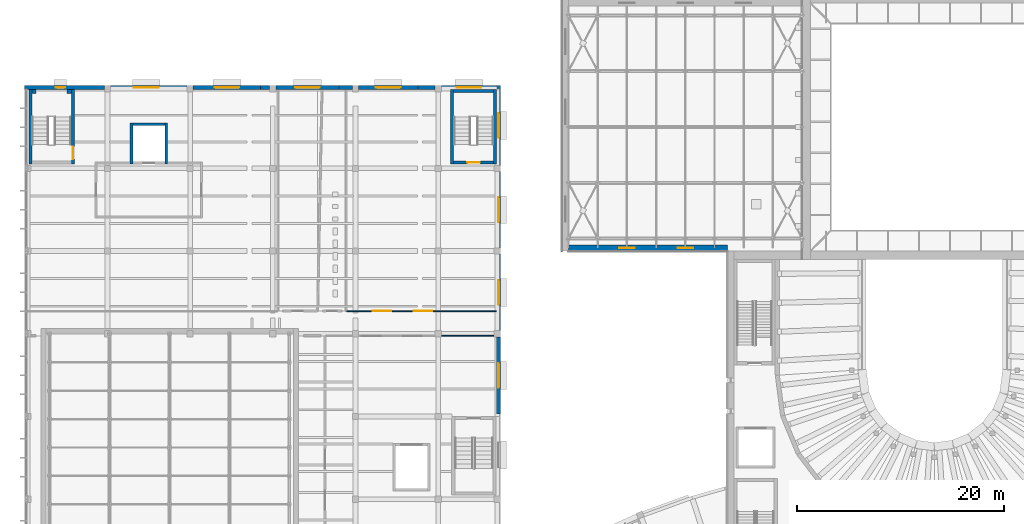
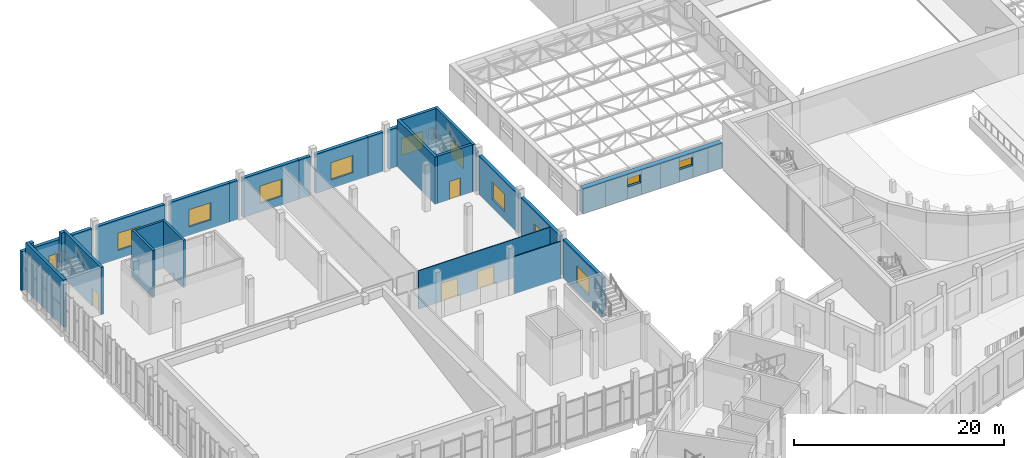
# One storey, part 74 of 132: 27 walls, 12 windows, 4 doors, 16 openings.
"""IFC4 building model written with IfcOpenShell, lengths in metres."""

import ifcopenshell
import ifcopenshell.guid

model = None  # the IFC model being written
_history = None  # IfcOwnerHistory: only IFC2X3 demands one
_inside = {}  # id of a spatial element -> (the spatial element, [elements in it])
_under = {}  # id of a project, library or spatial element -> (it, [spatial elements below it])
_declared = {}  # id of a project -> (the project, [libraries it declares])
_typed = {}  # id of a type object -> (the type object, [elements of that type])
_made_of = {}  # id of a material, layer set ... -> (it, [elements and type objects made of it])


def new_model(schema):
    """Start an empty IFC model of exactly this schema.

    Asked for "IFC4X3", IfcOpenShell would pick the latest addendum, in which some entities
    have other attributes; the version numbers below select the first issue.
    IFC2X3 requires an IfcOwnerHistory on every rooted entity: one is made here for all.
    """
    global model, _history
    if schema == "IFC4X3":
        model = ifcopenshell.file(schema_version=(4, 3, 0, 0))
    else:
        model = ifcopenshell.file(schema=schema)
    _inside.clear()
    _under.clear()
    _declared.clear()
    _typed.clear()
    _made_of.clear()
    _history = None
    if model.schema == "IFC2X3":
        org = make("IfcOrganization", Name="unknown")
        user = make(
            "IfcPersonAndOrganization",
            ThePerson=make("IfcPerson", FamilyName="unknown"),
            TheOrganization=org,
        )
        app = make(
            "IfcApplication",
            ApplicationDeveloper=org,
            Version="unknown",
            ApplicationFullName="unknown",
            ApplicationIdentifier="unknown",
        )
        _history = make(
            "IfcOwnerHistory",
            OwningUser=user,
            OwningApplication=app,
            ChangeAction="ADDED",
            CreationDate=0,
        )
    return model


def make(cls, **values):
    """One entity of the class cls with the attributes given. An attribute that is None is left unset."""
    return model.create_entity(
        cls, **{name: value for name, value in values.items() if value is not None}
    )


def rooted(cls, **values):
    """An entity with a GlobalId (a new one), such as an element, a storey or a relation."""
    return make(cls, GlobalId=ifcopenshell.guid.new(), OwnerHistory=_history, **values)


def si_unit(unit_type, name, prefix=None):
    """IfcSIUnit, for example si_unit("LENGTHUNIT", "METRE", prefix="MILLI")."""
    return make("IfcSIUnit", UnitType=unit_type, Prefix=prefix, Name=name)


def assignment(units):
    """IfcUnitAssignment: the units of a project."""
    return None if units is None else make("IfcUnitAssignment", Units=units)


def point(xyz):
    """IfcCartesianPoint."""
    return None if xyz is None else make("IfcCartesianPoint", Coordinates=xyz)


def direction(xyz):
    """IfcDirection."""
    return None if xyz is None else make("IfcDirection", DirectionRatios=xyz)


def frame(location, z_axis=None, x_axis=None):
    """IfcAxis2Placement3D, a coordinate frame: its origin and axes. An axis left out is left unset."""
    return make(
        "IfcAxis2Placement3D",
        Location=point(location),
        Axis=direction(z_axis),
        RefDirection=direction(x_axis),
    )


def frame_2d(location, x_axis=None):
    """IfcAxis2Placement2D, a coordinate frame in the plane: its origin and x axis."""
    return make(
        "IfcAxis2Placement2D", Location=point(location), RefDirection=direction(x_axis)
    )


def origin():
    """The frame at (0, 0, 0) with its axes left unset."""
    return frame((0.0, 0.0, 0.0))


def place(relative_to, where):
    """IfcLocalPlacement: puts the frame where relative to a parent placement (None: the world)."""
    return make(
        "IfcLocalPlacement", PlacementRelTo=relative_to, RelativePlacement=where
    )


def context(
    kind, dimensions, precision=None, world=None, true_north=None, identifier=None
):
    """IfcGeometricRepresentationContext, for example the 3D "Model" context."""
    return make(
        "IfcGeometricRepresentationContext",
        ContextIdentifier=identifier,
        ContextType=kind,
        CoordinateSpaceDimension=dimensions,
        Precision=precision,
        WorldCoordinateSystem=world,
        TrueNorth=true_north,
    )


def subcontext(parent, identifier, kind, view, scale=None):
    """IfcGeometricRepresentationSubContext, for example "Body" below "Model"."""
    return make(
        "IfcGeometricRepresentationSubContext",
        ContextIdentifier=identifier,
        ContextType=kind,
        ParentContext=parent,
        TargetScale=scale,
        TargetView=view,
    )


def project(units=None, contexts=None):
    """IfcProject with its units and contexts."""
    return rooted(
        "IfcProject",
        Name="project",
        RepresentationContexts=contexts,
        UnitsInContext=assignment(units),
    )


def spatial(cls, under=None, at=None, **own):
    """A site, building, storey or space (cls), placed at a placement, below another one or the project."""
    s = rooted(cls, ObjectPlacement=at, **own)
    if under is not None:
        _under.setdefault(under.id(), (under, []))[1].append(s)
    return s


def profile(cls, at=None, kind="AREA", **sizes):
    """A parametric profile (cls). Its sizes go by their IFC names, for example OverallWidth=200.0."""
    return make(cls, ProfileType=kind, Position=at, **sizes)


def rectangle(**sizes):
    """IfcRectangleProfileDef."""
    return profile("IfcRectangleProfileDef", **sizes)


def extrude(swept, where, along, depth):
    """IfcExtrudedAreaSolid: the profile swept, set in the frame where, extruded along a direction by depth."""
    return make(
        "IfcExtrudedAreaSolid",
        SweptArea=swept,
        Position=where,
        ExtrudedDirection=direction(along),
        Depth=depth,
    )


def shape(context_of_items, identifier, shape_type, items):
    """IfcShapeRepresentation: the items that make up one representation, for example the "Body"."""
    return make(
        "IfcShapeRepresentation",
        ContextOfItems=context_of_items,
        RepresentationIdentifier=identifier,
        RepresentationType=shape_type,
        Items=items,
    )


def material(Name=None, Category=None):
    """IfcMaterial."""
    return make("IfcMaterial", Name=Name, Category=Category)


def layer(
    of_material, thickness, ventilated=None, Name=None, Category=None, Priority=None
):
    """IfcMaterialLayer: one layer of a wall or slab, of a material (None: an air gap)."""
    return make(
        "IfcMaterialLayer",
        Material=of_material,
        LayerThickness=thickness,
        IsVentilated=ventilated,
        Name=Name,
        Category=Category,
        Priority=Priority,
    )


def layer_set(layers, Name=None):
    """IfcMaterialLayerSet."""
    return make("IfcMaterialLayerSet", MaterialLayers=layers, LayerSetName=Name)


def made_of(thing, what):
    """Note that an element or type object is made of a material, layer set ...; save() writes the relation."""
    if what is not None:
        _made_of.setdefault(what.id(), (what, []))[1].append(thing)
    return thing


def type_object(cls, material=None, **own):
    """A type object (cls), such as IfcWallType, which elements share."""
    return made_of(rooted(cls, **own), material)


def element(
    cls,
    number,
    at=None,
    inside=None,
    cuts=None,
    type_object=None,
    material=None,
    context=None,
    identifier="Body",
    shape_type=None,
    held_by="IfcProductDefinitionShape",
    body=None,
    shapes=None,
    **own,
):
    """One element of the class cls, such as IfcWall. Its Tag is "e" and its number.

    at: its placement. inside: the storey or other place that contains it. cuts: it is an
    opening in that element (IfcRelVoidsElement). A single representation is given by context,
    identifier, shape_type and body (its items); several are given by shapes. held_by: the class
    of the entity that holds the representations. save() writes the other relations.
    """
    e = rooted(cls, Tag="e%d" % number, ObjectPlacement=at, **own)
    if body is not None:
        shapes = [shape(context, identifier, shape_type, body)]
    if shapes is not None:
        e.Representation = make(held_by, Representations=shapes)
    if inside is not None:
        _inside.setdefault(inside.id(), (inside, []))[1].append(e)
    if cuts is not None:
        rooted(
            "IfcRelVoidsElement", RelatingBuildingElement=cuts, RelatedOpeningElement=e
        )
    if type_object is not None:
        _typed.setdefault(type_object.id(), (type_object, []))[1].append(e)
    return made_of(e, material)


def fill(opening, filler):
    """IfcRelFillsElement: the door or window that sits in an opening."""
    return rooted(
        "IfcRelFillsElement",
        RelatingOpeningElement=opening,
        RelatedBuildingElement=filler,
    )


def aggregate(whole, parts):
    """IfcRelAggregates: a whole, such as a stair, and the parts it consists of."""
    return rooted("IfcRelAggregates", RelatingObject=whole, RelatedObjects=parts)


def save(model, path):
    """Write the relations noted so far, then the file.

    IfcRelAggregates (storeys below a building ...), IfcRelContainedInSpatialStructure (elements
    in a storey), IfcRelDefinesByType, IfcRelAssociatesMaterial and IfcRelDeclares: one each for
    every whole, place, type object, material and project.
    """
    for whole, parts in _under.values():
        aggregate(whole, parts)
    for where, things in _inside.values():
        rooted(
            "IfcRelContainedInSpatialStructure",
            RelatedElements=things,
            RelatingStructure=where,
        )
    for kind, things in _typed.values():
        rooted("IfcRelDefinesByType", RelatedObjects=things, RelatingType=kind)
    for what, things in _made_of.values():
        rooted("IfcRelAssociatesMaterial", RelatedObjects=things, RelatingMaterial=what)
    for by, libraries in _declared.values():
        rooted("IfcRelDeclares", RelatingContext=by, RelatedDefinitions=libraries)
    model.write(path)


model = new_model("IFC4")

# Units and contexts
model_context = context("Model", 3, precision=1e-05, world=origin(), true_north=direction((0.0, 1.0)))
body_context = subcontext(model_context, "Body", "Model", "MODEL_VIEW")
ifc_project = project(units=[si_unit("LENGTHUNIT", "METRE"), si_unit("AREAUNIT", "SQUARE_METRE"), si_unit("VOLUMEUNIT", "CUBIC_METRE"), si_unit("PLANEANGLEUNIT", "RADIAN"), si_unit("MASSUNIT", "GRAM", prefix="KILO")], contexts=[model_context])

# Site, building, storey
site_placement = place(None, origin())
site = spatial("IfcSite", under=ifc_project, at=site_placement, CompositionType="ELEMENT")
building_placement = place(site_placement, origin())
building = spatial("IfcBuilding", under=site, at=building_placement, Name="Lunette Opera House", CompositionType="ELEMENT")
storey_placement = place(building_placement, frame((0.0, 0.0, 17.0)))
storey = spatial("IfcBuildingStorey", under=building, at=storey_placement, Name="L03", CompositionType="ELEMENT", Elevation=17.0)

# Walls
ifc_material_1 = material(Name="Concrete C35/45", Category="concrete")
ifc_layer_1 = layer(ifc_material_1, 0.25)
ifc_layer_set_1 = layer_set([ifc_layer_1], Name="Concrete C35/45")
wall_type_1 = type_object("IfcWallType", Name="RC LIFT SHAFT WALL 250", PredefinedType="SOLIDWALL", material=ifc_layer_set_1)
wall_1_placement = place(storey_placement, frame((21.675048828125, 104.39990234375, 0.0), z_axis=(0.0, 0.0, 1.0), x_axis=(0.0, 1.0, 0.0)))
element("IfcWall", 1, at=wall_1_placement, inside=storey, type_object=wall_type_1, Name="LF5 shaft wall 1", PredefinedType="SOLIDWALL", context=body_context, shape_type="SweptSolid", body=[
    extrude(rectangle(XDim=4.0, YDim=0.25, at=frame_2d((2.0, 0.0))), origin(), (0.0, 0.0, 1.0), 5.5),
])
wall_2_placement = place(storey_placement, frame((21.550048828125, 108.27490234375, 0.0), z_axis=(0.0, 0.0, 1.0), x_axis=(-1.0, 0.0, 0.0)))
element("IfcWall", 2, at=wall_2_placement, inside=storey, type_object=wall_type_1, Name="LF5 shaft wall 2", PredefinedType="SOLIDWALL", context=body_context, shape_type="SweptSolid", body=[
    extrude(rectangle(XDim=3.10009765625, YDim=0.25, at=frame_2d((1.550048828125, 0.0))), origin(), (0.0, 0.0, 1.0), 5.5),
])
wall_3_placement = place(storey_placement, frame((18.324951171875, 108.39990234375, 0.0), z_axis=(0.0, 0.0, 1.0), x_axis=(0.0, -1.0, 0.0)))
element("IfcWall", 3, at=wall_3_placement, inside=storey, type_object=wall_type_1, Name="LF5 shaft wall 3", PredefinedType="SOLIDWALL", context=body_context, shape_type="SweptSolid", body=[
    extrude(rectangle(XDim=4.0, YDim=0.25, at=frame_2d((2.0, 0.0))), origin(), (0.0, 0.0, 1.0), 5.5),
])
ifc_material_2 = material(Name="Concrete C35/45", Category="concrete")
ifc_layer_2 = layer(ifc_material_2, 0.39990234375)
ifc_layer_set_2 = layer_set([ifc_layer_2], Name="Concrete C35/45")
wall_type_2 = type_object("IfcWallType", Name="RC PILASTER 400", PredefinedType="SOLIDWALL", material=ifc_layer_set_2)
wall_4_placement = place(storey_placement, frame((12.5, 111.43505859375, 0.0), z_axis=(0.0, 0.0, 1.0), x_axis=(-1.0, 0.0, 0.0)))
element("IfcWall", 4, at=wall_4_placement, inside=storey, type_object=wall_type_2, Name="ST15 pilaster 1", PredefinedType="SOLIDWALL", context=body_context, shape_type="SweptSolid", body=[
    extrude(rectangle(XDim=0.39990234375, YDim=0.39990234375, at=frame_2d((0.199951171875, 0.0))), origin(), (0.0, 0.0, 1.0), 5.5),
])
wall_5_placement = place(storey_placement, frame((9.10009765625, 111.43505859375, 0.0), z_axis=(0.0, 0.0, 1.0), x_axis=(-1.0, 0.0, 0.0)))
element("IfcWall", 5, at=wall_5_placement, inside=storey, type_object=wall_type_2, Name="ST15 pilaster 2", PredefinedType="SOLIDWALL", context=body_context, shape_type="SweptSolid", body=[
    extrude(rectangle(XDim=0.400146484375, YDim=0.39990234375, at=frame_2d((0.2001953125, 0.0))), origin(), (0.0, 0.0, 1.0), 5.5),
])

# Wall, opening, door
ifc_material_3 = material(Name="Concrete C35/45", Category="concrete")
ifc_layer_3 = layer(ifc_material_3, 0.300048828125)
ifc_layer_set_3 = layer_set([ifc_layer_3], Name="Concrete C35/45")
wall_type_3 = type_object("IfcWallType", Name="RC STAIR ENCLOSURE WALL 300", PredefinedType="SOLIDWALL", material=ifc_layer_set_3)
wall_6_placement = place(storey_placement, frame((12.64990234375, 104.39990234375, 0.0), z_axis=(0.0, 0.0, 1.0), x_axis=(0.0, 1.0, 0.0)))
wall_6 = element("IfcWall", 6, at=wall_6_placement, inside=storey, type_object=wall_type_3, Name="ST15 enclosure wall 1", PredefinedType="SOLIDWALL", context=body_context, shape_type="SweptSolid", body=[
    extrude(rectangle(XDim=7.235107421875, YDim=0.300048828125, at=frame_2d((3.61767578125, 0.0))), origin(), (0.0, 0.0, 1.0), 5.5),
])
opening_1_placement = place(wall_6_placement, frame((0.5, 0.0, 0.0)))
opening_1 = element("IfcOpeningElement", 7, at=opening_1_placement, cuts=wall_6, Name="Opening RW-D7005", PredefinedType="OPENING", context=body_context, shape_type="SweptSolid", body=[
    extrude(rectangle(XDim=1.199951171875, YDim=2.10009765625, at=frame_2d((0.60009765625, 1.050048828125))), frame((0.0, 0.162109375, 0.0), z_axis=(0.0, -1.0, 0.0), x_axis=(1.0, 0.0, 0.0)), (0.0, 0.0, 1.0), 0.323974609375),
])
ifc_material_4 = material(Name="Steel", Category="steel")
door_type_1 = type_object("IfcDoorType", Name="FIRE DOOR 1200 X 2100", OperationType="SINGLE_SWING_LEFT", PredefinedType="DOOR", material=ifc_material_4)
door_1_placement = place(opening_1_placement, origin())
door_1 = element("IfcDoor", 8, at=door_1_placement, inside=storey, type_object=door_type_1, Name="ST15 stair door", OperationType="SINGLE_SWING_LEFT", OverallHeight=2.10009765625, OverallWidth=1.199951171875, PredefinedType="DOOR", context=body_context, shape_type="SweptSolid", body=[
    extrude(rectangle(XDim=1.199951171875, YDim=2.10009765625, at=frame_2d((0.60009765625, 1.050048828125))), frame((0.0, 0.02490234375, 0.0), z_axis=(0.0, -1.0, 0.0), x_axis=(1.0, 0.0, 0.0)), (0.0, 0.0, 1.0), 0.050048828125),
])
fill(opening_1, door_1)

# Walls
for number, where, z_axis, x_axis, name in (
    (9, (8.550048828125, 111.635009765625, 0.0), (0.0, 0.0, 1.0), (0.0, -1.0, 0.0), "ST15 enclosure wall 3"),
    (10, (53.485107421875, 104.39990234375, 0.0), (0.0, 0.0, 1.0), (0.0, 1.0, 0.0), "ST17 enclosure wall 1"),
):
    element("IfcWall", number, at=place(storey_placement, frame(where, z_axis=z_axis, x_axis=x_axis)), inside=storey, type_object=wall_type_3, Name=name, PredefinedType="SOLIDWALL", context=body_context, shape_type="SweptSolid", body=[
        extrude(rectangle(XDim=7.235107421875, YDim=0.300048828125, at=frame_2d((3.61767578125, 0.0))), origin(), (0.0, 0.0, 1.0), 5.5),
    ])
wall_7_placement = place(storey_placement, frame((53.3349609375, 111.485107421875, 0.0), z_axis=(0.0, 0.0, 1.0), x_axis=(-1.0, 0.0, 0.0)))
element("IfcWall", 11, at=wall_7_placement, inside=storey, type_object=wall_type_3, Name="ST17 enclosure wall 2", PredefinedType="SOLIDWALL", context=body_context, shape_type="SweptSolid", body=[
    extrude(rectangle(XDim=3.8349609375, YDim=0.300048828125, at=frame_2d((1.91748046875, 0.0))), origin(), (0.0, 0.0, 1.0), 5.5),
])
wall_8_placement = place(storey_placement, frame((49.35009765625, 111.635009765625, 0.0), z_axis=(0.0, 0.0, 1.0), x_axis=(0.0, -1.0, 0.0)))
element("IfcWall", 12, at=wall_8_placement, inside=storey, type_object=wall_type_3, Name="ST17 enclosure wall 3", PredefinedType="SOLIDWALL", context=body_context, shape_type="SweptSolid", body=[
    extrude(rectangle(XDim=7.235107421875, YDim=0.300048828125, at=frame_2d((3.61767578125, 0.0))), origin(), (0.0, 0.0, 1.0), 5.5),
])

# Wall, opening, door
wall_9_placement = place(storey_placement, frame((49.5, 104.550048828125, 0.0), z_axis=(0.0, 0.0, 1.0), x_axis=(1.0, 0.0, 0.0)))
wall_9 = element("IfcWall", 13, at=wall_9_placement, inside=storey, type_object=wall_type_3, Name="ST17 enclosure wall 4", PredefinedType="SOLIDWALL", context=body_context, shape_type="SweptSolid", body=[
    extrude(rectangle(XDim=3.8349609375, YDim=0.300048828125, at=frame_2d((1.91748046875, 0.0))), origin(), (0.0, 0.0, 1.0), 5.5),
])
opening_2_placement = place(wall_9_placement, frame((1.31689453125, 0.0, 0.0)))
opening_2 = element("IfcOpeningElement", 14, at=opening_2_placement, cuts=wall_9, Name="Opening RW-D7017", PredefinedType="OPENING", context=body_context, shape_type="SweptSolid", body=[
    extrude(rectangle(XDim=1.199951171875, YDim=2.10009765625, at=frame_2d((0.60009765625, 1.050048828125))), frame((0.0, 0.162109375, 0.0), z_axis=(0.0, -1.0, 0.0), x_axis=(1.0, 0.0, 0.0)), (0.0, 0.0, 1.0), 0.323974609375),
])
door_2_placement = place(opening_2_placement, origin())
door_2 = element("IfcDoor", 15, at=door_2_placement, inside=storey, type_object=door_type_1, Name="ST17 stair door", OperationType="SINGLE_SWING_LEFT", OverallHeight=2.10009765625, OverallWidth=1.199951171875, PredefinedType="DOOR", context=body_context, shape_type="SweptSolid", body=[
    extrude(rectangle(XDim=1.199951171875, YDim=2.10009765625, at=frame_2d((0.60009765625, 1.050048828125))), frame((0.0, 0.02490234375, 0.0), z_axis=(0.0, -1.0, 0.0), x_axis=(1.0, 0.0, 0.0)), (0.0, 0.0, 1.0), 0.050048828125),
])
fill(opening_2, door_2)

# Wall, openings, windows
ifc_material_5 = material(Name="Concrete C35/45", Category="concrete")
ifc_layer_4 = layer(ifc_material_5, 0.60009765625)
ifc_layer_set_4 = layer_set([ifc_layer_4], Name="Concrete C35/45")
wall_type_4 = type_object("IfcWallType", Name="RC WALL 600", PredefinedType="SHEAR", material=ifc_layer_set_4)
wall_10_placement = place(storey_placement, frame((60.60009765625, 96.300048828125, 0.0), z_axis=(0.0, 0.0, 1.0), x_axis=(1.0, 0.0, 0.0)))
wall_10 = element("IfcWall", 16, at=wall_10_placement, inside=storey, type_object=wall_type_4, Name="wall-ST-L03-SW-S-1", PredefinedType="SHEAR", context=body_context, shape_type="SweptSolid", body=[
    extrude(rectangle(XDim=15.389892578125, YDim=0.60009765625, at=frame_2d((7.69482421875, 0.0))), origin(), (0.0, 0.0, 1.0), 2.8798828125),
])
opening_3_placement = place(wall_10_placement, frame((4.89697265625, 0.0, 1.39990234375)))
opening_3 = element("IfcOpeningElement", 17, at=opening_3_placement, cuts=wall_10, Name="Opening ST-N2095", PredefinedType="OPENING", context=body_context, shape_type="SweptSolid", body=[
    extrude(rectangle(XDim=1.5, YDim=1.0, at=frame_2d((0.75, 0.5))), frame((0.0, 0.31201171875, 0.0), z_axis=(0.0, -1.0, 0.0), x_axis=(1.0, 0.0, 0.0)), (0.0, 0.0, 1.0), 0.6240234375),
])
opening_4_placement = place(wall_10_placement, frame((10.592041015625, 0.0, 1.39990234375)))
opening_4 = element("IfcOpeningElement", 18, at=opening_4_placement, cuts=wall_10, Name="Opening ST-N2096", PredefinedType="OPENING", context=body_context, shape_type="SweptSolid", body=[
    extrude(rectangle(XDim=1.5, YDim=1.0, at=frame_2d((0.75, 0.5))), frame((0.0, 0.31201171875, 0.0), z_axis=(0.0, -1.0, 0.0), x_axis=(1.0, 0.0, 0.0)), (0.0, 0.0, 1.0), 0.6240234375),
])
ifc_material_6 = material(Name="Aluminium", Category="aluminium")
window_type_1 = type_object("IfcWindowType", Name="STAGE CLERESTORY WINDOW 1500 X 1000", PartitioningType="SINGLE_PANEL", PredefinedType="WINDOW", material=ifc_material_6)
window_1_placement = place(opening_3_placement, origin())
window_1 = element("IfcWindow", 19, at=window_1_placement, inside=storey, type_object=window_type_1, Name="Stage Clerestory Window 1500 X 1000 SW-S1 L03", OverallHeight=1.0, OverallWidth=1.5, PartitioningType="SINGLE_PANEL", PredefinedType="WINDOW", context=body_context, shape_type="SweptSolid", body=[
    extrude(rectangle(XDim=1.5, YDim=1.0, at=frame_2d((0.75, 0.5))), frame((0.0, 0.030029296875, 0.0), z_axis=(0.0, -1.0, 0.0), x_axis=(1.0, 0.0, 0.0)), (0.0, 0.0, 1.0), 0.06005859375),
])
fill(opening_3, window_1)
window_2_placement = place(opening_4_placement, origin())
window_2 = element("IfcWindow", 20, at=window_2_placement, inside=storey, type_object=window_type_1, Name="Stage Clerestory Window 1500 X 1000 SW-S2 L03", OverallHeight=1.0, OverallWidth=1.5, PartitioningType="SINGLE_PANEL", PredefinedType="WINDOW", context=body_context, shape_type="SweptSolid", body=[
    extrude(rectangle(XDim=1.5, YDim=1.0, at=frame_2d((0.75, 0.5))), frame((0.0, 0.030029296875, 0.0), z_axis=(0.0, -1.0, 0.0), x_axis=(1.0, 0.0, 0.0)), (0.0, 0.0, 1.0), 0.06005859375),
])
fill(opening_4, window_2)

# Wall, opening, window
ifc_material_7 = material(Name="Clinker brick", Category="masonry")
ifc_layer_5 = layer(ifc_material_7, 0.364990234375)
ifc_layer_set_5 = layer_set([ifc_layer_5], Name="Clinker brick")
wall_type_5 = type_object("IfcWallType", Name="REHEARSAL BRICK WALL 365", PredefinedType="SOLIDWALL", material=ifc_layer_set_5)
wall_11_placement = place(storey_placement, frame((53.818115234375, 80.242919921875, 0.0), z_axis=(0.0, 0.0, 1.0), x_axis=(0.0, 1.0, 0.0)))
wall_11 = element("IfcWall", 21, at=wall_11_placement, inside=storey, type_object=wall_type_5, Name="Rehearsal Brick Wall 365 F03 L03", PredefinedType="SOLIDWALL", context=body_context, shape_type="SweptSolid", body=[
    extrude(rectangle(XDim=7.45703125, YDim=0.364990234375, at=frame_2d((3.728515625, 0.0))), origin(), (0.0, 0.0, 1.0), 4.550048828125),
])
opening_5_placement = place(wall_11_placement, frame((2.529052734375, 0.0, 1.0)))
opening_5 = element("IfcOpeningElement", 22, at=opening_5_placement, cuts=wall_11, Name="Opening RW-N2039", PredefinedType="OPENING", context=body_context, shape_type="SweptSolid", body=[
    extrude(rectangle(XDim=2.39990234375, YDim=2.0, at=frame_2d((1.199951171875, 1.0))), frame((0.0, 0.194580078125, 0.0), z_axis=(0.0, -1.0, 0.0), x_axis=(1.0, 0.0, 0.0)), (0.0, 0.0, 1.0), 0.388916015625),
])
ifc_material_8 = material(Name="Aluminium", Category="aluminium")
window_type_2 = type_object("IfcWindowType", Name="REHEARSAL WINDOW 2400 X 2000", PartitioningType="DOUBLE_PANEL_VERTICAL", PredefinedType="WINDOW", material=ifc_material_8)
window_3_placement = place(opening_5_placement, origin())
window_3 = element("IfcWindow", 23, at=window_3_placement, inside=storey, type_object=window_type_2, Name="Rehearsal Window 2400 X 2000 F03 L03", OverallHeight=2.0, OverallWidth=2.39990234375, PartitioningType="DOUBLE_PANEL_VERTICAL", PredefinedType="WINDOW", context=body_context, shape_type="SweptSolid", body=[
    extrude(rectangle(XDim=2.39990234375, YDim=2.0, at=frame_2d((1.199951171875, 1.0))), frame((0.0, 0.030029296875, 0.0), z_axis=(0.0, -1.0, 0.0), x_axis=(1.0, 0.0, 0.0)), (0.0, 0.0, 1.0), 0.06005859375),
])
fill(opening_5, window_3)

wall_12_placement = place(storey_placement, frame((53.818115234375, 88.300048828125, 0.0), z_axis=(0.0, 0.0, 1.0), x_axis=(0.0, 1.0, 0.0)))
wall_12 = element("IfcWall", 24, at=wall_12_placement, inside=storey, type_object=wall_type_5, Name="Rehearsal Brick Wall 365 F04 L03", PredefinedType="SOLIDWALL", context=body_context, shape_type="SweptSolid", body=[
    extrude(rectangle(XDim=7.39990234375, YDim=0.364990234375, at=frame_2d((3.699951171875, 0.0))), origin(), (0.0, 0.0, 1.0), 4.550048828125),
])
opening_6_placement = place(wall_12_placement, frame((2.5, 0.0, 1.0)))
opening_6 = element("IfcOpeningElement", 25, at=opening_6_placement, cuts=wall_12, Name="Opening RW-N2040", PredefinedType="OPENING", context=body_context, shape_type="SweptSolid", body=[
    extrude(rectangle(XDim=2.39990234375, YDim=2.0, at=frame_2d((1.199951171875, 1.0))), frame((0.0, 0.194580078125, 0.0), z_axis=(0.0, -1.0, 0.0), x_axis=(1.0, 0.0, 0.0)), (0.0, 0.0, 1.0), 0.388916015625),
])
window_4_placement = place(opening_6_placement, origin())
window_4 = element("IfcWindow", 26, at=window_4_placement, inside=storey, type_object=window_type_2, Name="Rehearsal Window 2400 X 2000 F04 L03", OverallHeight=2.0, OverallWidth=2.39990234375, PartitioningType="DOUBLE_PANEL_VERTICAL", PredefinedType="WINDOW", context=body_context, shape_type="SweptSolid", body=[
    extrude(rectangle(XDim=2.39990234375, YDim=2.0, at=frame_2d((1.199951171875, 1.0))), frame((0.0, 0.030029296875, 0.0), z_axis=(0.0, -1.0, 0.0), x_axis=(1.0, 0.0, 0.0)), (0.0, 0.0, 1.0), 0.06005859375),
])
fill(opening_6, window_4)

wall_13_placement = place(storey_placement, frame((53.818115234375, 96.300048828125, 0.0), z_axis=(0.0, 0.0, 1.0), x_axis=(0.0, 1.0, 0.0)))
wall_13 = element("IfcWall", 27, at=wall_13_placement, inside=storey, type_object=wall_type_5, Name="Rehearsal Brick Wall 365 F05 L03", PredefinedType="SOLIDWALL", context=body_context, shape_type="SweptSolid", body=[
    extrude(rectangle(XDim=7.39990234375, YDim=0.364990234375, at=frame_2d((3.699951171875, 0.0))), origin(), (0.0, 0.0, 1.0), 4.550048828125),
])
opening_7_placement = place(wall_13_placement, frame((2.5, 0.0, 1.0)))
opening_7 = element("IfcOpeningElement", 28, at=opening_7_placement, cuts=wall_13, Name="Opening RW-N2041", PredefinedType="OPENING", context=body_context, shape_type="SweptSolid", body=[
    extrude(rectangle(XDim=2.39990234375, YDim=2.0, at=frame_2d((1.199951171875, 1.0))), frame((0.0, 0.194580078125, 0.0), z_axis=(0.0, -1.0, 0.0), x_axis=(1.0, 0.0, 0.0)), (0.0, 0.0, 1.0), 0.388916015625),
])
window_5_placement = place(opening_7_placement, origin())
window_5 = element("IfcWindow", 29, at=window_5_placement, inside=storey, type_object=window_type_2, Name="Rehearsal Window 2400 X 2000 F05 L03", OverallHeight=2.0, OverallWidth=2.39990234375, PartitioningType="DOUBLE_PANEL_VERTICAL", PredefinedType="WINDOW", context=body_context, shape_type="SweptSolid", body=[
    extrude(rectangle(XDim=2.39990234375, YDim=2.0, at=frame_2d((1.199951171875, 1.0))), frame((0.0, 0.030029296875, 0.0), z_axis=(0.0, -1.0, 0.0), x_axis=(1.0, 0.0, 0.0)), (0.0, 0.0, 1.0), 0.06005859375),
])
fill(opening_7, window_5)

wall_14_placement = place(storey_placement, frame((53.818115234375, 104.300048828125, 0.0), z_axis=(0.0, 0.0, 1.0), x_axis=(0.0, 1.0, 0.0)))
wall_14 = element("IfcWall", 30, at=wall_14_placement, inside=storey, type_object=wall_type_5, Name="Rehearsal Brick Wall 365 F06 L03", PredefinedType="SOLIDWALL", context=body_context, shape_type="SweptSolid", body=[
    extrude(rectangle(XDim=7.699951171875, YDim=0.364990234375, at=frame_2d((3.85009765625, 0.0))), origin(), (0.0, 0.0, 1.0), 4.550048828125),
])
opening_8_placement = place(wall_14_placement, frame((2.64990234375, 0.0, 1.0)))
opening_8 = element("IfcOpeningElement", 31, at=opening_8_placement, cuts=wall_14, Name="Opening RW-N2042", PredefinedType="OPENING", context=body_context, shape_type="SweptSolid", body=[
    extrude(rectangle(XDim=2.39990234375, YDim=2.0, at=frame_2d((1.199951171875, 1.0))), frame((0.0, 0.194580078125, 0.0), z_axis=(0.0, -1.0, 0.0), x_axis=(1.0, 0.0, 0.0)), (0.0, 0.0, 1.0), 0.388916015625),
])
window_6_placement = place(opening_8_placement, origin())
window_6 = element("IfcWindow", 32, at=window_6_placement, inside=storey, type_object=window_type_2, Name="Rehearsal Window 2400 X 2000 F06 L03", OverallHeight=2.0, OverallWidth=2.39990234375, PartitioningType="DOUBLE_PANEL_VERTICAL", PredefinedType="WINDOW", context=body_context, shape_type="SweptSolid", body=[
    extrude(rectangle(XDim=2.39990234375, YDim=2.0, at=frame_2d((1.199951171875, 1.0))), frame((0.0, 0.030029296875, 0.0), z_axis=(0.0, -1.0, 0.0), x_axis=(1.0, 0.0, 0.0)), (0.0, 0.0, 1.0), 0.06005859375),
])
fill(opening_8, window_6)

wall_15_placement = place(storey_placement, frame((53.635009765625, 111.81689453125, 0.0), z_axis=(0.0, 0.0, 1.0), x_axis=(-1.0, 0.0, 0.0)))
wall_15 = element("IfcWall", 33, at=wall_15_placement, inside=storey, type_object=wall_type_5, Name="Rehearsal Brick Wall 365 F07-1 L03", PredefinedType="SOLIDWALL", context=body_context, shape_type="SweptSolid", body=[
    extrude(rectangle(XDim=5.3349609375, YDim=0.364990234375, at=frame_2d((2.66748046875, 0.0))), origin(), (0.0, 0.0, 1.0), 4.550048828125),
])
opening_9_placement = place(wall_15_placement, frame((1.468017578125, 0.0, 1.0)))
opening_9 = element("IfcOpeningElement", 34, at=opening_9_placement, cuts=wall_15, Name="Opening RW-N2043", PredefinedType="OPENING", context=body_context, shape_type="SweptSolid", body=[
    extrude(rectangle(XDim=2.39990234375, YDim=2.0, at=frame_2d((1.199951171875, 1.0))), frame((0.0, 0.194580078125, 0.0), z_axis=(0.0, -1.0, 0.0), x_axis=(1.0, 0.0, 0.0)), (0.0, 0.0, 1.0), 0.388916015625),
])
window_7_placement = place(opening_9_placement, origin())
window_7 = element("IfcWindow", 35, at=window_7_placement, inside=storey, type_object=window_type_2, Name="Rehearsal Window 2400 X 2000 F07-1 L03", OverallHeight=2.0, OverallWidth=2.39990234375, PartitioningType="DOUBLE_PANEL_VERTICAL", PredefinedType="WINDOW", context=body_context, shape_type="SweptSolid", body=[
    extrude(rectangle(XDim=2.39990234375, YDim=2.0, at=frame_2d((1.199951171875, 1.0))), frame((0.0, 0.030029296875, 0.0), z_axis=(0.0, -1.0, 0.0), x_axis=(1.0, 0.0, 0.0)), (0.0, 0.0, 1.0), 0.06005859375),
])
fill(opening_9, window_7)

# Wall
wall_16_placement = place(storey_placement, frame((47.699951171875, 111.81689453125, 0.0), z_axis=(0.0, 0.0, 1.0), x_axis=(-1.0, 0.0, 0.0)))
element("IfcWall", 36, at=wall_16_placement, inside=storey, type_object=wall_type_5, Name="Rehearsal Brick Wall 365 F07-2 L03", PredefinedType="SOLIDWALL", context=body_context, shape_type="SweptSolid", body=[
    extrude(rectangle(XDim=1.6708984375, YDim=0.364990234375, at=frame_2d((0.83544921875, 0.0))), origin(), (0.0, 0.0, 1.0), 4.550048828125),
])

# Wall, opening, window
wall_17_placement = place(storey_placement, frame((46.029052734375, 111.81689453125, 0.0), z_axis=(0.0, 0.0, 1.0), x_axis=(-1.0, 0.0, 0.0)))
wall_17 = element("IfcWall", 37, at=wall_17_placement, inside=storey, type_object=wall_type_5, Name="Rehearsal Brick Wall 365 F08-1 L03", PredefinedType="SOLIDWALL", context=body_context, shape_type="SweptSolid", body=[
    extrude(rectangle(XDim=5.72900390625, YDim=0.364990234375, at=frame_2d((2.864501953125, 0.0))), origin(), (0.0, 0.0, 1.0), 4.550048828125),
])
opening_10_placement = place(wall_17_placement, frame((1.6650390625, 0.0, 1.0)))
opening_10 = element("IfcOpeningElement", 38, at=opening_10_placement, cuts=wall_17, Name="Opening RW-N2044", PredefinedType="OPENING", context=body_context, shape_type="SweptSolid", body=[
    extrude(rectangle(XDim=2.39990234375, YDim=2.0, at=frame_2d((1.199951171875, 1.0))), frame((0.0, 0.194580078125, 0.0), z_axis=(0.0, -1.0, 0.0), x_axis=(1.0, 0.0, 0.0)), (0.0, 0.0, 1.0), 0.388916015625),
])
window_8_placement = place(opening_10_placement, origin())
window_8 = element("IfcWindow", 39, at=window_8_placement, inside=storey, type_object=window_type_2, Name="Rehearsal Window 2400 X 2000 F08-1 L03", OverallHeight=2.0, OverallWidth=2.39990234375, PartitioningType="DOUBLE_PANEL_VERTICAL", PredefinedType="WINDOW", context=body_context, shape_type="SweptSolid", body=[
    extrude(rectangle(XDim=2.39990234375, YDim=2.0, at=frame_2d((1.199951171875, 1.0))), frame((0.0, 0.030029296875, 0.0), z_axis=(0.0, -1.0, 0.0), x_axis=(1.0, 0.0, 0.0)), (0.0, 0.0, 1.0), 0.06005859375),
])
fill(opening_10, window_8)

# Wall
wall_18_placement = place(storey_placement, frame((39.699951171875, 111.81689453125, 0.0), z_axis=(0.0, 0.0, 1.0), x_axis=(-1.0, 0.0, 0.0)))
element("IfcWall", 40, at=wall_18_placement, inside=storey, type_object=wall_type_5, Name="Rehearsal Brick Wall 365 F08-2 L03", PredefinedType="SOLIDWALL", context=body_context, shape_type="SweptSolid", body=[
    extrude(rectangle(XDim=1.27685546875, YDim=0.364990234375, at=frame_2d((0.638427734375, 0.0))), origin(), (0.0, 0.0, 1.0), 4.550048828125),
])

# Wall, opening, window
wall_19_placement = place(storey_placement, frame((38.423095703125, 111.81689453125, 0.0), z_axis=(0.0, 0.0, 1.0), x_axis=(-1.0, 0.0, 0.0)))
wall_19 = element("IfcWall", 41, at=wall_19_placement, inside=storey, type_object=wall_type_5, Name="Rehearsal Brick Wall 365 F09-1 L03", PredefinedType="SOLIDWALL", context=body_context, shape_type="SweptSolid", body=[
    extrude(rectangle(XDim=6.123046875, YDim=0.364990234375, at=frame_2d((3.0615234375, 0.0))), origin(), (0.0, 0.0, 1.0), 4.550048828125),
])
opening_11_placement = place(wall_19_placement, frame((1.862060546875, 0.0, 1.0)))
opening_11 = element("IfcOpeningElement", 42, at=opening_11_placement, cuts=wall_19, Name="Opening RW-N2045", PredefinedType="OPENING", context=body_context, shape_type="SweptSolid", body=[
    extrude(rectangle(XDim=2.39990234375, YDim=2.0, at=frame_2d((1.199951171875, 1.0))), frame((0.0, 0.194580078125, 0.0), z_axis=(0.0, -1.0, 0.0), x_axis=(1.0, 0.0, 0.0)), (0.0, 0.0, 1.0), 0.388916015625),
])
window_9_placement = place(opening_11_placement, origin())
window_9 = element("IfcWindow", 43, at=window_9_placement, inside=storey, type_object=window_type_2, Name="Rehearsal Window 2400 X 2000 F09-1 L03", OverallHeight=2.0, OverallWidth=2.39990234375, PartitioningType="DOUBLE_PANEL_VERTICAL", PredefinedType="WINDOW", context=body_context, shape_type="SweptSolid", body=[
    extrude(rectangle(XDim=2.39990234375, YDim=2.0, at=frame_2d((1.199951171875, 1.0))), frame((0.0, 0.030029296875, 0.0), z_axis=(0.0, -1.0, 0.0), x_axis=(1.0, 0.0, 0.0)), (0.0, 0.0, 1.0), 0.06005859375),
])
fill(opening_11, window_9)

# Wall
wall_20_placement = place(storey_placement, frame((31.699951171875, 111.81689453125, 0.0), z_axis=(0.0, 0.0, 1.0), x_axis=(-1.0, 0.0, 0.0)))
element("IfcWall", 44, at=wall_20_placement, inside=storey, type_object=wall_type_5, Name="Rehearsal Brick Wall 365 F09-2 L03", PredefinedType="SOLIDWALL", context=body_context, shape_type="SweptSolid", body=[
    extrude(rectangle(XDim=0.883056640625, YDim=0.364990234375, at=frame_2d((0.44140625, 0.0))), origin(), (0.0, 0.0, 1.0), 4.550048828125),
])

# Wall, opening, window
wall_21_placement = place(storey_placement, frame((30.81689453125, 111.81689453125, 0.0), z_axis=(0.0, 0.0, 1.0), x_axis=(-1.0, 0.0, 0.0)))
wall_21 = element("IfcWall", 45, at=wall_21_placement, inside=storey, type_object=wall_type_5, Name="Rehearsal Brick Wall 365 F10 L03", PredefinedType="SOLIDWALL", context=body_context, shape_type="SweptSolid", body=[
    extrude(rectangle(XDim=6.516845703125, YDim=0.364990234375, at=frame_2d((3.25830078125, 0.0))), origin(), (0.0, 0.0, 1.0), 4.550048828125),
])
opening_12_placement = place(wall_21_placement, frame((2.05908203125, 0.0, 1.0)))
opening_12 = element("IfcOpeningElement", 46, at=opening_12_placement, cuts=wall_21, Name="Opening RW-N2046", PredefinedType="OPENING", context=body_context, shape_type="SweptSolid", body=[
    extrude(rectangle(XDim=2.39990234375, YDim=2.0, at=frame_2d((1.199951171875, 1.0))), frame((0.0, 0.194580078125, 0.0), z_axis=(0.0, -1.0, 0.0), x_axis=(1.0, 0.0, 0.0)), (0.0, 0.0, 1.0), 0.388916015625),
])
window_10_placement = place(opening_12_placement, origin())
window_10 = element("IfcWindow", 47, at=window_10_placement, inside=storey, type_object=window_type_2, Name="Rehearsal Window 2400 X 2000 F10 L03", OverallHeight=2.0, OverallWidth=2.39990234375, PartitioningType="DOUBLE_PANEL_VERTICAL", PredefinedType="WINDOW", context=body_context, shape_type="SweptSolid", body=[
    extrude(rectangle(XDim=2.39990234375, YDim=2.0, at=frame_2d((1.199951171875, 1.0))), frame((0.0, 0.030029296875, 0.0), z_axis=(0.0, -1.0, 0.0), x_axis=(1.0, 0.0, 0.0)), (0.0, 0.0, 1.0), 0.06005859375),
])
fill(opening_12, window_10)

wall_22_placement = place(storey_placement, frame((23.697021484375, 111.81689453125, 0.0), z_axis=(0.0, 0.0, 1.0), x_axis=(-1.0, 0.0, 0.0)))
wall_22 = element("IfcWall", 48, at=wall_22_placement, inside=storey, type_object=wall_type_5, Name="Rehearsal Brick Wall 365 F11 L03", PredefinedType="SOLIDWALL", context=body_context, shape_type="SweptSolid", body=[
    extrude(rectangle(XDim=7.39697265625, YDim=0.364990234375, at=frame_2d((3.698486328125, 0.0))), origin(), (0.0, 0.0, 1.0), 4.550048828125),
])
opening_13_placement = place(wall_22_placement, frame((2.740966796875, 0.0, 1.0)))
opening_13 = element("IfcOpeningElement", 49, at=opening_13_placement, cuts=wall_22, Name="Opening RW-N2047", PredefinedType="OPENING", context=body_context, shape_type="SweptSolid", body=[
    extrude(rectangle(XDim=2.39990234375, YDim=2.0, at=frame_2d((1.199951171875, 1.0))), frame((0.0, 0.194580078125, 0.0), z_axis=(0.0, -1.0, 0.0), x_axis=(1.0, 0.0, 0.0)), (0.0, 0.0, 1.0), 0.388916015625),
])
window_11_placement = place(opening_13_placement, origin())
window_11 = element("IfcWindow", 50, at=window_11_placement, inside=storey, type_object=window_type_2, Name="Rehearsal Window 2400 X 2000 F11 L03", OverallHeight=2.0, OverallWidth=2.39990234375, PartitioningType="DOUBLE_PANEL_VERTICAL", PredefinedType="WINDOW", context=body_context, shape_type="SweptSolid", body=[
    extrude(rectangle(XDim=2.39990234375, YDim=2.0, at=frame_2d((1.199951171875, 1.0))), frame((0.0, 0.030029296875, 0.0), z_axis=(0.0, -1.0, 0.0), x_axis=(1.0, 0.0, 0.0)), (0.0, 0.0, 1.0), 0.06005859375),
])
fill(opening_13, window_11)

wall_23_placement = place(storey_placement, frame((15.700927734375, 111.81689453125, 0.0), z_axis=(0.0, 0.0, 1.0), x_axis=(-1.0, 0.0, 0.0)))
wall_23 = element("IfcWall", 51, at=wall_23_placement, inside=storey, type_object=wall_type_5, Name="Rehearsal Brick Wall 365 F12 L03", PredefinedType="SOLIDWALL", context=body_context, shape_type="SweptSolid", body=[
    extrude(rectangle(XDim=7.700927734375, YDim=0.364990234375, at=frame_2d((3.8505859375, 0.0))), origin(), (0.0, 0.0, 1.0), 4.550048828125),
])
opening_14_placement = place(wall_23_placement, frame((3.800048828125, 0.0, 1.0)))
opening_14 = element("IfcOpeningElement", 52, at=opening_14_placement, cuts=wall_23, Name="Opening RW-N2063", PredefinedType="OPENING", context=body_context, shape_type="SweptSolid", body=[
    extrude(rectangle(XDim=0.89990234375, YDim=2.0, at=frame_2d((0.449951171875, 1.0))), frame((0.0, 0.194580078125, 0.0), z_axis=(0.0, -1.0, 0.0), x_axis=(1.0, 0.0, 0.0)), (0.0, 0.0, 1.0), 0.388916015625),
])
ifc_material_9 = material(Name="Aluminium", Category="aluminium")
window_type_3 = type_object("IfcWindowType", Name="REHEARSAL WINDOW 900 X 2000", PartitioningType="SINGLE_PANEL", PredefinedType="WINDOW", material=ifc_material_9)
window_12_placement = place(opening_14_placement, origin())
window_12 = element("IfcWindow", 53, at=window_12_placement, inside=storey, type_object=window_type_3, Name="Rehearsal Window 900 X 2000 F12b L03", OverallHeight=2.0, OverallWidth=0.89990234375, PartitioningType="SINGLE_PANEL", PredefinedType="WINDOW", context=body_context, shape_type="SweptSolid", body=[
    extrude(rectangle(XDim=0.89990234375, YDim=2.0, at=frame_2d((0.449951171875, 1.0))), frame((0.0, 0.030029296875, 0.0), z_axis=(0.0, -1.0, 0.0), x_axis=(1.0, 0.0, 0.0)), (0.0, 0.0, 1.0), 0.06005859375),
])
fill(opening_14, window_12)

# Wall
ifc_material_10 = material(Name="Gypsum board on steel studs", Category="steel")
ifc_layer_6 = layer(ifc_material_10, 0.10009765625)
ifc_layer_set_6 = layer_set([ifc_layer_6], Name="Gypsum board on steel studs")
wall_type_6 = type_object("IfcWallType", Name="STUD PARTITION 100", PredefinedType="PARTITIONING", material=ifc_layer_set_6)
wall_24_placement = place(storey_placement, frame((48.300048828125, 87.800048828125, 0.0), z_axis=(0.0, 0.0, 1.0), x_axis=(1.0, 0.0, 0.0)))
element("IfcWall", 54, at=wall_24_placement, inside=storey, type_object=wall_type_6, Name="Partition Corridor L03 Rehearsal", PredefinedType="PARTITIONING", context=body_context, shape_type="SweptSolid", body=[
    extrude(rectangle(XDim=5.099853515625, YDim=0.10009765625, at=frame_2d((2.5498046875, 0.0))), origin(), (0.0, 0.0, 1.0), 4.35009765625),
])

# Wall, openings, doors
wall_25_placement = place(storey_placement, frame((53.635009765625, 90.199951171875, 0.0), z_axis=(0.0, 0.0, 1.0), x_axis=(-1.0, 0.0, 0.0)))
wall_25 = element("IfcWall", 55, at=wall_25_placement, inside=storey, type_object=wall_type_6, Name="Partition Corridor L03 Rehearsal", PredefinedType="PARTITIONING", context=body_context, shape_type="SweptSolid", body=[
    extrude(rectangle(XDim=14.470947265625, YDim=0.10009765625, at=frame_2d((7.2353515625, 0.0))), origin(), (0.0, 0.0, 1.0), 4.449951171875),
])
opening_15_placement = place(wall_25_placement, frame((6.19091796875, 0.0, 0.0)))
opening_15 = element("IfcOpeningElement", 56, at=opening_15_placement, cuts=wall_25, Name="Opening RW-D3042", PredefinedType="OPENING", context=body_context, shape_type="SweptSolid", body=[
    extrude(rectangle(XDim=1.800048828125, YDim=2.10009765625, at=frame_2d((0.89990234375, 1.050048828125))), frame((0.0, 0.06201171875, 0.0), z_axis=(0.0, -1.0, 0.0), x_axis=(1.0, 0.0, 0.0)), (0.0, 0.0, 1.0), 0.1240234375),
])
opening_16_placement = place(wall_25_placement, frame((10.19091796875, 0.0, 0.0)))
opening_16 = element("IfcOpeningElement", 57, at=opening_16_placement, cuts=wall_25, Name="Opening RW-D3043", PredefinedType="OPENING", context=body_context, shape_type="SweptSolid", body=[
    extrude(rectangle(XDim=1.800048828125, YDim=2.10009765625, at=frame_2d((0.89990234375, 1.050048828125))), frame((0.0, 0.06201171875, 0.0), z_axis=(0.0, -1.0, 0.0), x_axis=(1.0, 0.0, 0.0)), (0.0, 0.0, 1.0), 0.1240234375),
])
ifc_material_11 = material(Name="Timber", Category="wood")
door_type_2 = type_object("IfcDoorType", Name="DOUBLE FLUSH DOOR 1800 X 2100", OperationType="DOUBLE_DOOR_SINGLE_SWING", PredefinedType="DOOR", material=ifc_material_11)
door_3_placement = place(opening_15_placement, origin())
door_3 = element("IfcDoor", 58, at=door_3_placement, inside=storey, type_object=door_type_2, Name="Ensemble Practice Hall door", OperationType="DOUBLE_DOOR_SINGLE_SWING", OverallHeight=2.10009765625, OverallWidth=1.800048828125, PredefinedType="DOOR", context=body_context, shape_type="SweptSolid", body=[
    extrude(rectangle(XDim=1.800048828125, YDim=2.10009765625, at=frame_2d((0.89990234375, 1.050048828125))), frame((0.0, 0.02490234375, 0.0), z_axis=(0.0, -1.0, 0.0), x_axis=(1.0, 0.0, 0.0)), (0.0, 0.0, 1.0), 0.050048828125),
])
fill(opening_15, door_3)
door_4_placement = place(opening_16_placement, origin())
door_4 = element("IfcDoor", 59, at=door_4_placement, inside=storey, type_object=door_type_2, Name="Ensemble Practice Hall door", OperationType="DOUBLE_DOOR_SINGLE_SWING", OverallHeight=2.10009765625, OverallWidth=1.800048828125, PredefinedType="DOOR", context=body_context, shape_type="SweptSolid", body=[
    extrude(rectangle(XDim=1.800048828125, YDim=2.10009765625, at=frame_2d((0.89990234375, 1.050048828125))), frame((0.0, 0.02490234375, 0.0), z_axis=(0.0, -1.0, 0.0), x_axis=(1.0, 0.0, 0.0)), (0.0, 0.0, 1.0), 0.050048828125),
])
fill(opening_16, door_4)

save(model, "model.ifc")
